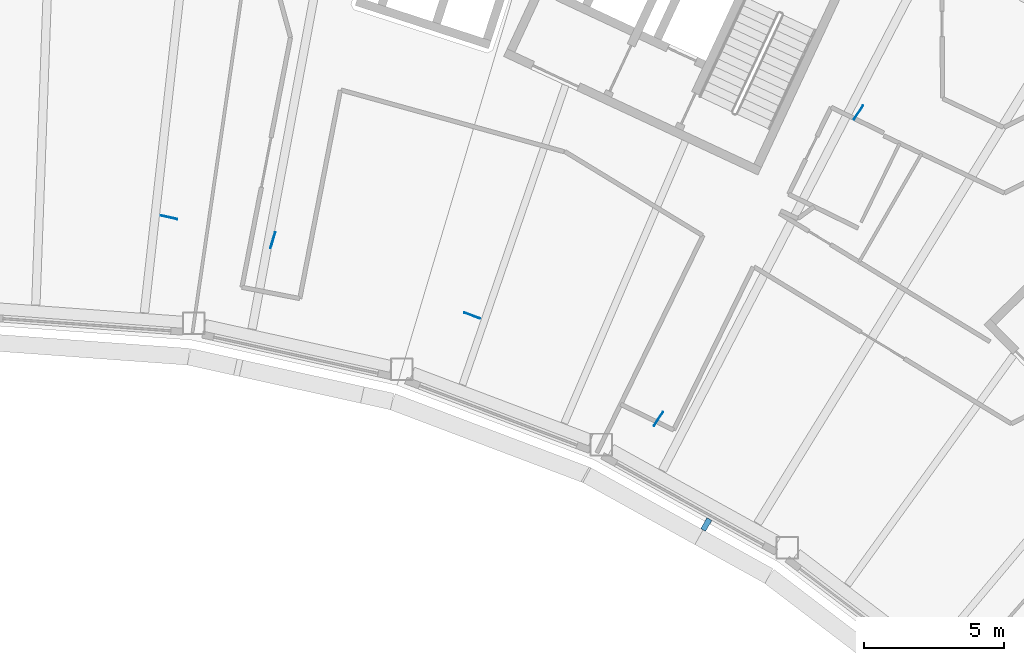
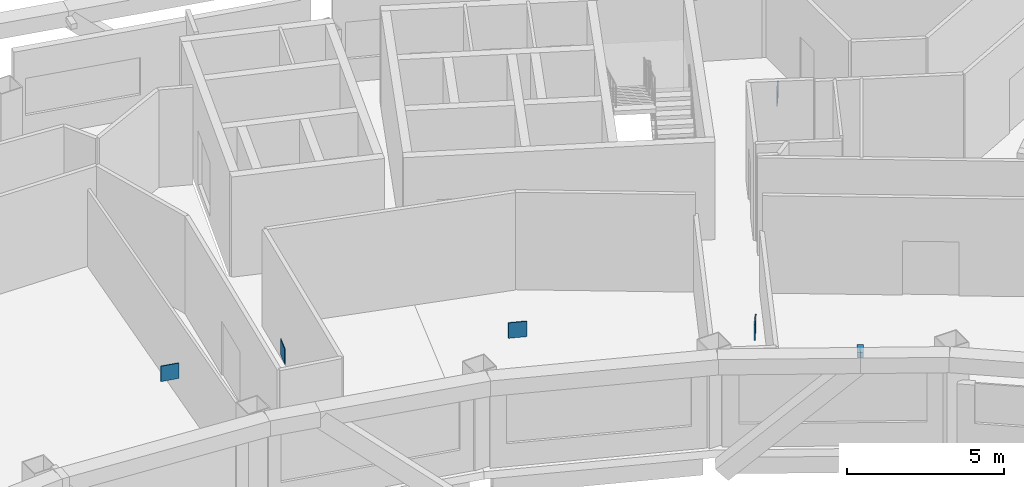
# One storey, part 15 of 21: 6 discrete accessories.
"""IFC4 building model written with IfcOpenShell, lengths in metres."""

import ifcopenshell
import ifcopenshell.guid

model = None  # the IFC model being written
_history = None  # IfcOwnerHistory: only IFC2X3 demands one
_inside = {}  # id of a spatial element -> (the spatial element, [elements in it])
_under = {}  # id of a project, library or spatial element -> (it, [spatial elements below it])
_declared = {}  # id of a project -> (the project, [libraries it declares])
_typed = {}  # id of a type object -> (the type object, [elements of that type])
_made_of = {}  # id of a material, layer set ... -> (it, [elements and type objects made of it])


def new_model(schema):
    """Start an empty IFC model of exactly this schema.

    Asked for "IFC4X3", IfcOpenShell would pick the latest addendum, in which some entities
    have other attributes; the version numbers below select the first issue.
    IFC2X3 requires an IfcOwnerHistory on every rooted entity: one is made here for all.
    """
    global model, _history
    if schema == "IFC4X3":
        model = ifcopenshell.file(schema_version=(4, 3, 0, 0))
    else:
        model = ifcopenshell.file(schema=schema)
    _inside.clear()
    _under.clear()
    _declared.clear()
    _typed.clear()
    _made_of.clear()
    _history = None
    if model.schema == "IFC2X3":
        org = make("IfcOrganization", Name="unknown")
        user = make(
            "IfcPersonAndOrganization",
            ThePerson=make("IfcPerson", FamilyName="unknown"),
            TheOrganization=org,
        )
        app = make(
            "IfcApplication",
            ApplicationDeveloper=org,
            Version="unknown",
            ApplicationFullName="unknown",
            ApplicationIdentifier="unknown",
        )
        _history = make(
            "IfcOwnerHistory",
            OwningUser=user,
            OwningApplication=app,
            ChangeAction="ADDED",
            CreationDate=0,
        )
    return model


def make(cls, **values):
    """One entity of the class cls with the attributes given. An attribute that is None is left unset."""
    return model.create_entity(
        cls, **{name: value for name, value in values.items() if value is not None}
    )


def rooted(cls, **values):
    """An entity with a GlobalId (a new one), such as an element, a storey or a relation."""
    return make(cls, GlobalId=ifcopenshell.guid.new(), OwnerHistory=_history, **values)


def si_unit(unit_type, name, prefix=None):
    """IfcSIUnit, for example si_unit("LENGTHUNIT", "METRE", prefix="MILLI")."""
    return make("IfcSIUnit", UnitType=unit_type, Prefix=prefix, Name=name)


def assignment(units):
    """IfcUnitAssignment: the units of a project."""
    return None if units is None else make("IfcUnitAssignment", Units=units)


def point(xyz):
    """IfcCartesianPoint."""
    return None if xyz is None else make("IfcCartesianPoint", Coordinates=xyz)


def direction(xyz):
    """IfcDirection."""
    return None if xyz is None else make("IfcDirection", DirectionRatios=xyz)


def frame(location, z_axis=None, x_axis=None):
    """IfcAxis2Placement3D, a coordinate frame: its origin and axes. An axis left out is left unset."""
    return make(
        "IfcAxis2Placement3D",
        Location=point(location),
        Axis=direction(z_axis),
        RefDirection=direction(x_axis),
    )


def frame_2d(location, x_axis=None):
    """IfcAxis2Placement2D, a coordinate frame in the plane: its origin and x axis."""
    return make(
        "IfcAxis2Placement2D", Location=point(location), RefDirection=direction(x_axis)
    )


def origin():
    """The frame at (0, 0, 0) with its axes left unset."""
    return frame((0.0, 0.0, 0.0))


def origin_2d():
    """The frame at (0, 0) in the plane with its x axis left unset."""
    return frame_2d((0.0, 0.0))


def place(relative_to, where):
    """IfcLocalPlacement: puts the frame where relative to a parent placement (None: the world)."""
    return make(
        "IfcLocalPlacement", PlacementRelTo=relative_to, RelativePlacement=where
    )


def context(
    kind, dimensions, precision=None, world=None, true_north=None, identifier=None
):
    """IfcGeometricRepresentationContext, for example the 3D "Model" context."""
    return make(
        "IfcGeometricRepresentationContext",
        ContextIdentifier=identifier,
        ContextType=kind,
        CoordinateSpaceDimension=dimensions,
        Precision=precision,
        WorldCoordinateSystem=world,
        TrueNorth=true_north,
    )


def subcontext(parent, identifier, kind, view, scale=None):
    """IfcGeometricRepresentationSubContext, for example "Body" below "Model"."""
    return make(
        "IfcGeometricRepresentationSubContext",
        ContextIdentifier=identifier,
        ContextType=kind,
        ParentContext=parent,
        TargetScale=scale,
        TargetView=view,
    )


def project(units=None, contexts=None):
    """IfcProject with its units and contexts."""
    return rooted(
        "IfcProject",
        Name="project",
        RepresentationContexts=contexts,
        UnitsInContext=assignment(units),
    )


def spatial(cls, under=None, at=None, **own):
    """A site, building, storey or space (cls), placed at a placement, below another one or the project."""
    s = rooted(cls, ObjectPlacement=at, **own)
    if under is not None:
        _under.setdefault(under.id(), (under, []))[1].append(s)
    return s


def profile(cls, at=None, kind="AREA", **sizes):
    """A parametric profile (cls). Its sizes go by their IFC names, for example OverallWidth=200.0."""
    return make(cls, ProfileType=kind, Position=at, **sizes)


def rectangle(**sizes):
    """IfcRectangleProfileDef."""
    return profile("IfcRectangleProfileDef", **sizes)


def extrude(swept, where, along, depth):
    """IfcExtrudedAreaSolid: the profile swept, set in the frame where, extruded along a direction by depth."""
    return make(
        "IfcExtrudedAreaSolid",
        SweptArea=swept,
        Position=where,
        ExtrudedDirection=direction(along),
        Depth=depth,
    )


def shape(context_of_items, identifier, shape_type, items):
    """IfcShapeRepresentation: the items that make up one representation, for example the "Body"."""
    return make(
        "IfcShapeRepresentation",
        ContextOfItems=context_of_items,
        RepresentationIdentifier=identifier,
        RepresentationType=shape_type,
        Items=items,
    )


def material(Name=None, Category=None):
    """IfcMaterial."""
    return make("IfcMaterial", Name=Name, Category=Category)


def made_of(thing, what):
    """Note that an element or type object is made of a material, layer set ...; save() writes the relation."""
    if what is not None:
        _made_of.setdefault(what.id(), (what, []))[1].append(thing)
    return thing


def type_object(cls, material=None, **own):
    """A type object (cls), such as IfcWallType, which elements share."""
    return made_of(rooted(cls, **own), material)


def element(
    cls,
    number,
    at=None,
    inside=None,
    cuts=None,
    type_object=None,
    material=None,
    context=None,
    identifier="Body",
    shape_type=None,
    held_by="IfcProductDefinitionShape",
    body=None,
    shapes=None,
    **own,
):
    """One element of the class cls, such as IfcWall. Its Tag is "e" and its number.

    at: its placement. inside: the storey or other place that contains it. cuts: it is an
    opening in that element (IfcRelVoidsElement). A single representation is given by context,
    identifier, shape_type and body (its items); several are given by shapes. held_by: the class
    of the entity that holds the representations. save() writes the other relations.
    """
    e = rooted(cls, Tag="e%d" % number, ObjectPlacement=at, **own)
    if body is not None:
        shapes = [shape(context, identifier, shape_type, body)]
    if shapes is not None:
        e.Representation = make(held_by, Representations=shapes)
    if inside is not None:
        _inside.setdefault(inside.id(), (inside, []))[1].append(e)
    if cuts is not None:
        rooted(
            "IfcRelVoidsElement", RelatingBuildingElement=cuts, RelatedOpeningElement=e
        )
    if type_object is not None:
        _typed.setdefault(type_object.id(), (type_object, []))[1].append(e)
    return made_of(e, material)


def aggregate(whole, parts):
    """IfcRelAggregates: a whole, such as a stair, and the parts it consists of."""
    return rooted("IfcRelAggregates", RelatingObject=whole, RelatedObjects=parts)


def save(model, path):
    """Write the relations noted so far, then the file.

    IfcRelAggregates (storeys below a building ...), IfcRelContainedInSpatialStructure (elements
    in a storey), IfcRelDefinesByType, IfcRelAssociatesMaterial and IfcRelDeclares: one each for
    every whole, place, type object, material and project.
    """
    for whole, parts in _under.values():
        aggregate(whole, parts)
    for where, things in _inside.values():
        rooted(
            "IfcRelContainedInSpatialStructure",
            RelatedElements=things,
            RelatingStructure=where,
        )
    for kind, things in _typed.values():
        rooted("IfcRelDefinesByType", RelatedObjects=things, RelatingType=kind)
    for what, things in _made_of.values():
        rooted("IfcRelAssociatesMaterial", RelatedObjects=things, RelatingMaterial=what)
    for by, libraries in _declared.values():
        rooted("IfcRelDeclares", RelatingContext=by, RelatedDefinitions=libraries)
    model.write(path)


model = new_model("IFC4")

# Units and contexts
model_context = context("Model", 3, precision=1e-05, world=origin(), true_north=direction((0.0, 1.0)))
body_context = subcontext(model_context, "Body", "Model", "MODEL_VIEW")
ifc_project = project(units=[si_unit("LENGTHUNIT", "METRE"), si_unit("AREAUNIT", "SQUARE_METRE"), si_unit("VOLUMEUNIT", "CUBIC_METRE"), si_unit("PLANEANGLEUNIT", "RADIAN"), si_unit("MASSUNIT", "GRAM", prefix="KILO")], contexts=[model_context])

# Site, building, storey
site_placement = place(None, origin())
site = spatial("IfcSite", under=ifc_project, at=site_placement, CompositionType="ELEMENT")
building_placement = place(site_placement, origin())
building = spatial("IfcBuilding", under=site, at=building_placement, Name="Tuul Gate Civic Tower", CompositionType="ELEMENT")
storey_placement = place(building_placement, frame((0.0, 0.0, 311.0)))
storey = spatial("IfcBuildingStorey", under=building, at=storey_placement, Name="Level 70", CompositionType="ELEMENT", Elevation=311.0)

# Discrete accessories
ifc_material_1 = material(Name="Steel S355", Category="steel")
discrete_accessory_type_1 = type_object("IfcDiscreteAccessoryType", Name="Gusset plate", PredefinedType="BRACKET", material=ifc_material_1)
for number, where, z_axis, x_axis, name in (
    (1, (30.919189453125, -16.07666015625, 2.796630859375), (0.0, 0.0, 1.0), (0.546710516181, 0.837321689375, 0.0), "Gusset plate"),
    (2, (17.176025390625, -9.71142578125, 2.796630859375), (0.0, 0.0, 1.0), (0.285224909945, 0.958460615126, 0.0), "Gusset plate"),
    (3, (38.047607421875, -5.157958984375, 2.797119140625), (0.0, 0.0, 1.0), (0.546710516181, 0.837321689375, 0.0), "Gusset plate"),
    (4, (24.279052734375, -12.395751953125, 2.796142578125), (0.0, 0.0, 1.0), (-0.935323959352, 0.353792440652, 0.0), "Gusset plate"),
    (5, (13.470947265625, -8.8935546875, 2.796142578125), (0.0, 0.0, 1.0), (-0.976591364495, 0.215103014376, 0.0), "Gusset plate"),
):
    element("IfcDiscreteAccessory", number, at=place(storey_placement, frame(where, z_axis=z_axis, x_axis=x_axis)), inside=storey, type_object=discrete_accessory_type_1, Name=name, PredefinedType="BRACKET", context=body_context, shape_type="SweptSolid", body=[
        extrude(rectangle(XDim=0.60009765625, YDim=0.030029296875, at=origin_2d()), origin(), (0.0, 0.0, 1.0), 0.60009765625),
    ])
ifc_material_2 = material(Name="Stainless steel", Category="steel")
discrete_accessory_type_2 = type_object("IfcDiscreteAccessoryType", Name="Screen bracket", PredefinedType="BRACKET", material=ifc_material_2)
discrete_accessory_placement = place(storey_placement, frame((32.623779296875, -19.841552734375, 3.75), z_axis=(0.0, 0.0, 1.0), x_axis=(-0.499375620877, -0.866385589258, 0.0)))
element("IfcDiscreteAccessory", 6, at=discrete_accessory_placement, inside=storey, type_object=discrete_accessory_type_2, Name="Screen bracket 29", PredefinedType="BRACKET", context=body_context, shape_type="SweptSolid", body=[
    extrude(rectangle(XDim=0.4501953125, YDim=0.199951171875, at=origin_2d()), origin(), (0.0, 0.0, 1.0), 0.199951171875),
])

save(model, "model.ifc")
